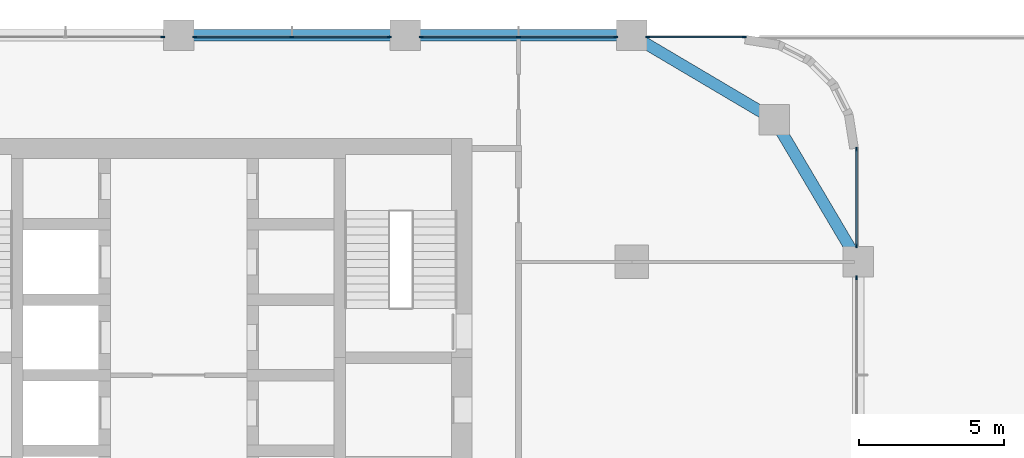
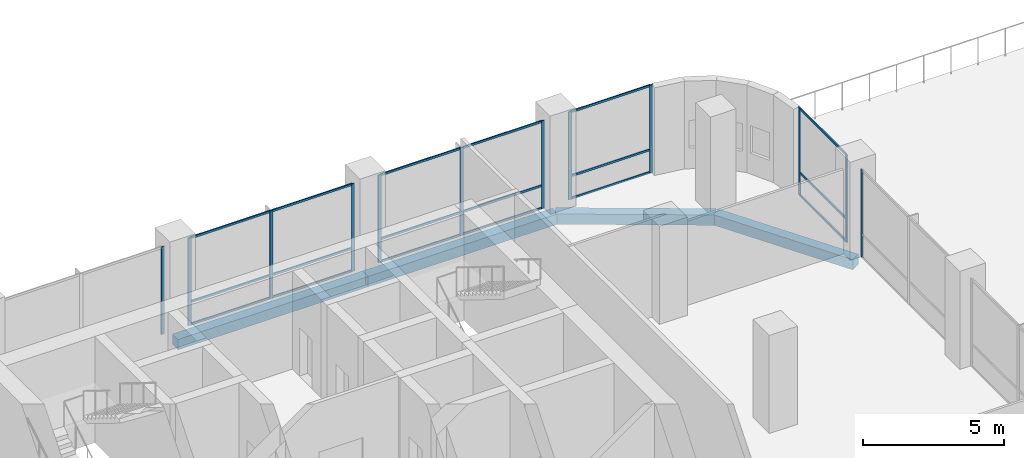
# One storey, part 9 of 31: 30 members, 4 beams, 6 elements without a shape of their own.
"""IFC4 building model written with IfcOpenShell, lengths in metres."""

from ifc_helpers import new_model, si_unit, direction, frame, origin, origin_2d, place, context, subcontext, project, spatial, rectangle, extrude, material, material_profile, profile_set, type_object, element, aggregate, save


model = new_model("IFC4")

# Units and contexts
model_context = context("Model", 3, precision=1e-05, world=origin(), true_north=direction((0.0, 1.0)))
body_context = subcontext(model_context, "Body", "Model", "MODEL_VIEW")
ifc_project = project(units=[si_unit("LENGTHUNIT", "METRE"), si_unit("AREAUNIT", "SQUARE_METRE"), si_unit("VOLUMEUNIT", "CUBIC_METRE"), si_unit("PLANEANGLEUNIT", "RADIAN"), si_unit("MASSUNIT", "GRAM", prefix="KILO")], contexts=[model_context])

# Site, building, storey
site_placement = place(None, origin())
site = spatial("IfcSite", under=ifc_project, at=site_placement, CompositionType="ELEMENT")
building_placement = place(site_placement, origin())
building = spatial("IfcBuilding", under=site, at=building_placement, Name="Ludao Terraces", CompositionType="ELEMENT")
storey_placement = place(building_placement, frame((0.0, 0.0, 15.0)))
storey = spatial("IfcBuildingStorey", under=building, at=storey_placement, Name="L03", CompositionType="ELEMENT", Elevation=15.0)

# Curtain wall, member
ifc_material_1 = material(Name="Aluminium curtain wall with fritted glass", Category="aluminium")
curtain_wall_type = type_object("IfcCurtainWallType", Name="ENV CW5 amenity glazing", PredefinedType="NOTDEFINED", material=ifc_material_1)
curtain_wall_1_placement = place(storey_placement, origin())
curtain_wall_1 = element("IfcCurtainWall", 1, at=curtain_wall_1_placement, inside=storey, type_object=curtain_wall_type, Name="Amenity glazing L03 E5", PredefinedType="NOTDEFINED")
ifc_material_2 = material(Name="Aluminium 6063-T6", Category="aluminium")
ifc_material_profile_1 = material_profile(ifc_material_2, rectangle(XDim=0.050048828125, YDim=0.139892578125, at=origin_2d()), Name="50 X 140")
ifc_profile_set_1 = profile_set([ifc_material_profile_1], Name="Aluminium 6063-T6")
member_type_1 = type_object("IfcMemberType", Name="ENV CW5 mullion 50x140", PredefinedType="MULLION", material=ifc_profile_set_1)
member_1_placement = place(storey_placement, frame((108.340087890625, 80.050048828125, 0.0), z_axis=(0.0, 0.0, 1.0), x_axis=(-1.0, 0.0, 0.0)))
member_1 = element("IfcMember", 2, at=member_1_placement, type_object=member_type_1, Name="CW5 mullion 3", PredefinedType="MULLION", context=body_context, shape_type="SweptSolid", body=[
    extrude(rectangle(XDim=0.050048828125, YDim=0.139892578125, at=origin_2d()), origin(), (0.0, 0.0, 1.0), 3.800048828125),
])
aggregate(curtain_wall_1, [member_1])

# Curtain wall, members
curtain_wall_2_placement = place(storey_placement, origin())
curtain_wall_2 = element("IfcCurtainWall", 3, at=curtain_wall_2_placement, inside=storey, type_object=curtain_wall_type, Name="Amenity glazing L03 E6", PredefinedType="NOTDEFINED")
member_2_placement = place(storey_placement, frame((108.340087890625, 81.14990234375, 0.0), z_axis=(0.0, 0.0, 1.0), x_axis=(-1.0, 0.0, 0.0)))
member_2 = element("IfcMember", 4, at=member_2_placement, type_object=member_type_1, Name="CW5 mullion 1", PredefinedType="MULLION", context=body_context, shape_type="SweptSolid", body=[
    extrude(rectangle(XDim=0.050048828125, YDim=0.139892578125, at=origin_2d()), origin(), (0.0, 0.0, 1.0), 3.800048828125),
])
member_3_placement = place(storey_placement, frame((108.340087890625, 84.47509765625, 0.0), z_axis=(0.0, 0.0, 1.0), x_axis=(-1.0, 0.0, 0.0)))
member_3 = element("IfcMember", 5, at=member_3_placement, type_object=member_type_1, Name="CW5 mullion 2", PredefinedType="MULLION", context=body_context, shape_type="SweptSolid", body=[
    extrude(rectangle(XDim=0.050048828125, YDim=0.139892578125, at=origin_2d()), origin(), (0.0, 0.0, 1.0), 3.800048828125),
])

# Curtain wall, member
curtain_wall_3_placement = place(storey_placement, origin())
curtain_wall_3 = element("IfcCurtainWall", 6, at=curtain_wall_3_placement, inside=storey, type_object=curtain_wall_type, Name="Amenity glazing L03 N3", PredefinedType="NOTDEFINED")
member_4_placement = place(storey_placement, frame((84.449951171875, 88.340087890625, 0.0), z_axis=(0.0, 0.0, 1.0), x_axis=(0.0, 1.0, 0.0)))
member_4 = element("IfcMember", 7, at=member_4_placement, type_object=member_type_1, Name="CW5 mullion 3", PredefinedType="MULLION", context=body_context, shape_type="SweptSolid", body=[
    extrude(rectangle(XDim=0.050048828125, YDim=0.139892578125, at=origin_2d()), origin(), (0.0, 0.0, 1.0), 3.800048828125),
])
aggregate(curtain_wall_3, [member_4])

# Curtain wall, members
curtain_wall_4_placement = place(storey_placement, origin())
curtain_wall_4 = element("IfcCurtainWall", 8, at=curtain_wall_4_placement, inside=storey, type_object=curtain_wall_type, Name="Amenity glazing L03 N4", PredefinedType="NOTDEFINED")
member_5_placement = place(storey_placement, frame((85.550048828125, 88.340087890625, 0.0), z_axis=(0.0, 0.0, 1.0), x_axis=(0.0, 1.0, 0.0)))
member_5 = element("IfcMember", 9, at=member_5_placement, type_object=member_type_1, Name="CW5 mullion 1", PredefinedType="MULLION", context=body_context, shape_type="SweptSolid", body=[
    extrude(rectangle(XDim=0.050048828125, YDim=0.139892578125, at=origin_2d()), origin(), (0.0, 0.0, 1.0), 3.800048828125),
])
member_6_placement = place(storey_placement, frame((88.89990234375, 88.340087890625, 0.0), z_axis=(0.0, 0.0, 1.0), x_axis=(0.0, 1.0, 0.0)))
member_6 = element("IfcMember", 10, at=member_6_placement, type_object=member_type_1, Name="CW5 mullion 2", PredefinedType="MULLION", context=body_context, shape_type="SweptSolid", body=[
    extrude(rectangle(XDim=0.050048828125, YDim=0.139892578125, at=origin_2d()), origin(), (0.0, 0.0, 1.0), 3.800048828125),
])
member_7_placement = place(storey_placement, frame((92.25, 88.340087890625, 0.0), z_axis=(0.0, 0.0, 1.0), x_axis=(0.0, 1.0, 0.0)))
member_7 = element("IfcMember", 11, at=member_7_placement, type_object=member_type_1, Name="CW5 mullion 3", PredefinedType="MULLION", context=body_context, shape_type="SweptSolid", body=[
    extrude(rectangle(XDim=0.050048828125, YDim=0.139892578125, at=origin_2d()), origin(), (0.0, 0.0, 1.0), 3.800048828125),
])

curtain_wall_5_placement = place(storey_placement, origin())
curtain_wall_5 = element("IfcCurtainWall", 12, at=curtain_wall_5_placement, inside=storey, type_object=curtain_wall_type, Name="Amenity glazing L03 N5", PredefinedType="NOTDEFINED")
member_8_placement = place(storey_placement, frame((93.35009765625, 88.340087890625, 0.0), z_axis=(0.0, 0.0, 1.0), x_axis=(0.0, 1.0, 0.0)))
member_8 = element("IfcMember", 13, at=member_8_placement, type_object=member_type_1, Name="CW5 mullion 1", PredefinedType="MULLION", context=body_context, shape_type="SweptSolid", body=[
    extrude(rectangle(XDim=0.050048828125, YDim=0.139892578125, at=origin_2d()), origin(), (0.0, 0.0, 1.0), 3.800048828125),
])
member_9_placement = place(storey_placement, frame((96.699951171875, 88.340087890625, 0.0), z_axis=(0.0, 0.0, 1.0), x_axis=(0.0, 1.0, 0.0)))
member_9 = element("IfcMember", 14, at=member_9_placement, type_object=member_type_1, Name="CW5 mullion 2", PredefinedType="MULLION", context=body_context, shape_type="SweptSolid", body=[
    extrude(rectangle(XDim=0.050048828125, YDim=0.139892578125, at=origin_2d()), origin(), (0.0, 0.0, 1.0), 3.800048828125),
])
member_10_placement = place(storey_placement, frame((100.050048828125, 88.340087890625, 0.0), z_axis=(0.0, 0.0, 1.0), x_axis=(0.0, 1.0, 0.0)))
member_10 = element("IfcMember", 15, at=member_10_placement, type_object=member_type_1, Name="CW5 mullion 3", PredefinedType="MULLION", context=body_context, shape_type="SweptSolid", body=[
    extrude(rectangle(XDim=0.050048828125, YDim=0.139892578125, at=origin_2d()), origin(), (0.0, 0.0, 1.0), 3.800048828125),
])

curtain_wall_6_placement = place(storey_placement, origin())
curtain_wall_6 = element("IfcCurtainWall", 16, at=curtain_wall_6_placement, inside=storey, type_object=curtain_wall_type, Name="Amenity glazing L03 N6", PredefinedType="NOTDEFINED")
member_11_placement = place(storey_placement, frame((101.14990234375, 88.340087890625, 0.0), z_axis=(0.0, 0.0, 1.0), x_axis=(0.0, 1.0, 0.0)))
member_11 = element("IfcMember", 17, at=member_11_placement, type_object=member_type_1, Name="CW5 mullion 1", PredefinedType="MULLION", context=body_context, shape_type="SweptSolid", body=[
    extrude(rectangle(XDim=0.050048828125, YDim=0.139892578125, at=origin_2d()), origin(), (0.0, 0.0, 1.0), 3.800048828125),
])
member_12_placement = place(storey_placement, frame((104.47509765625, 88.340087890625, 0.0), z_axis=(0.0, 0.0, 1.0), x_axis=(0.0, 1.0, 0.0)))
member_12 = element("IfcMember", 18, at=member_12_placement, type_object=member_type_1, Name="CW5 mullion 2", PredefinedType="MULLION", context=body_context, shape_type="SweptSolid", body=[
    extrude(rectangle(XDim=0.050048828125, YDim=0.139892578125, at=origin_2d()), origin(), (0.0, 0.0, 1.0), 3.800048828125),
])

# Member
ifc_material_profile_2 = material_profile(ifc_material_2, rectangle(XDim=0.050048828125, YDim=0.090087890625, at=origin_2d()), Name="50 X 90")
ifc_profile_set_2 = profile_set([ifc_material_profile_2], Name="Aluminium 6063-T6")
member_type_2 = type_object("IfcMemberType", Name="ENV CW5 transom 50x90", PredefinedType="USERDEFINED", material=ifc_profile_set_2)
member_13_placement = place(storey_placement, frame((108.340087890625, 81.175048828125, 0.02490234375), z_axis=(0.0, 1.0, 0.0), x_axis=(-1.0, 0.0, 0.0)))
member_13 = element("IfcMember", 19, at=member_13_placement, type_object=member_type_2, Name="CW5 transom 1.1", ObjectType="TRANSOM", PredefinedType="USERDEFINED", context=body_context, shape_type="SweptSolid", body=[
    extrude(rectangle(XDim=0.050048828125, YDim=0.090087890625, at=origin_2d()), origin(), (0.0, 0.0, 1.0), 3.27490234375),
])

member_14_placement = place(storey_placement, frame((108.340087890625, 81.175048828125, 1.0), z_axis=(0.0, 1.0, 0.0), x_axis=(-1.0, 0.0, 0.0)))
member_14 = element("IfcMember", 20, at=member_14_placement, type_object=member_type_2, Name="CW5 transom 1.2", ObjectType="TRANSOM", PredefinedType="USERDEFINED", context=body_context, shape_type="SweptSolid", body=[
    extrude(rectangle(XDim=0.050048828125, YDim=0.090087890625, at=origin_2d()), origin(), (0.0, 0.0, 1.0), 3.27490234375),
])

member_15_placement = place(storey_placement, frame((108.340087890625, 81.175048828125, 3.77490234375), z_axis=(0.0, 1.0, 0.0), x_axis=(-1.0, 0.0, 0.0)))
member_15 = element("IfcMember", 21, at=member_15_placement, type_object=member_type_2, Name="CW5 transom 1.3", ObjectType="TRANSOM", PredefinedType="USERDEFINED", context=body_context, shape_type="SweptSolid", body=[
    extrude(rectangle(XDim=0.050048828125, YDim=0.090087890625, at=origin_2d()), origin(), (0.0, 0.0, 1.0), 3.27490234375),
])

aggregate(curtain_wall_2, [member_2, member_3, member_13, member_14, member_15])

member_16_placement = place(storey_placement, frame((85.574951171875, 88.340087890625, 0.02490234375), z_axis=(1.0, 0.0, 0.0), x_axis=(0.0, 1.0, 0.0)))
member_16 = element("IfcMember", 22, at=member_16_placement, type_object=member_type_2, Name="CW5 transom 1.1", ObjectType="TRANSOM", PredefinedType="USERDEFINED", context=body_context, shape_type="SweptSolid", body=[
    extrude(rectangle(XDim=0.050048828125, YDim=0.090087890625, at=origin_2d()), origin(), (0.0, 0.0, 1.0), 3.300048828125),
])

member_17_placement = place(storey_placement, frame((85.574951171875, 88.340087890625, 1.0), z_axis=(1.0, 0.0, 0.0), x_axis=(0.0, 1.0, 0.0)))
member_17 = element("IfcMember", 23, at=member_17_placement, type_object=member_type_2, Name="CW5 transom 1.2", ObjectType="TRANSOM", PredefinedType="USERDEFINED", context=body_context, shape_type="SweptSolid", body=[
    extrude(rectangle(XDim=0.050048828125, YDim=0.090087890625, at=origin_2d()), origin(), (0.0, 0.0, 1.0), 3.300048828125),
])

member_18_placement = place(storey_placement, frame((85.574951171875, 88.340087890625, 3.77490234375), z_axis=(1.0, 0.0, 0.0), x_axis=(0.0, 1.0, 0.0)))
member_18 = element("IfcMember", 24, at=member_18_placement, type_object=member_type_2, Name="CW5 transom 1.3", ObjectType="TRANSOM", PredefinedType="USERDEFINED", context=body_context, shape_type="SweptSolid", body=[
    extrude(rectangle(XDim=0.050048828125, YDim=0.090087890625, at=origin_2d()), origin(), (0.0, 0.0, 1.0), 3.300048828125),
])

member_19_placement = place(storey_placement, frame((88.925048828125, 88.340087890625, 0.02490234375), z_axis=(1.0, 0.0, 0.0), x_axis=(0.0, 1.0, 0.0)))
member_19 = element("IfcMember", 25, at=member_19_placement, type_object=member_type_2, Name="CW5 transom 2.1", ObjectType="TRANSOM", PredefinedType="USERDEFINED", context=body_context, shape_type="SweptSolid", body=[
    extrude(rectangle(XDim=0.050048828125, YDim=0.090087890625, at=origin_2d()), origin(), (0.0, 0.0, 1.0), 3.300048828125),
])

member_20_placement = place(storey_placement, frame((88.925048828125, 88.340087890625, 1.0), z_axis=(1.0, 0.0, 0.0), x_axis=(0.0, 1.0, 0.0)))
member_20 = element("IfcMember", 26, at=member_20_placement, type_object=member_type_2, Name="CW5 transom 2.2", ObjectType="TRANSOM", PredefinedType="USERDEFINED", context=body_context, shape_type="SweptSolid", body=[
    extrude(rectangle(XDim=0.050048828125, YDim=0.090087890625, at=origin_2d()), origin(), (0.0, 0.0, 1.0), 3.300048828125),
])

member_21_placement = place(storey_placement, frame((88.925048828125, 88.340087890625, 3.77490234375), z_axis=(1.0, 0.0, 0.0), x_axis=(0.0, 1.0, 0.0)))
member_21 = element("IfcMember", 27, at=member_21_placement, type_object=member_type_2, Name="CW5 transom 2.3", ObjectType="TRANSOM", PredefinedType="USERDEFINED", context=body_context, shape_type="SweptSolid", body=[
    extrude(rectangle(XDim=0.050048828125, YDim=0.090087890625, at=origin_2d()), origin(), (0.0, 0.0, 1.0), 3.300048828125),
])

aggregate(curtain_wall_4, [member_5, member_6, member_7, member_16, member_17, member_18, member_19, member_20, member_21])

member_22_placement = place(storey_placement, frame((93.375, 88.340087890625, 0.02490234375), z_axis=(1.0, 0.0, 0.0), x_axis=(0.0, 1.0, 0.0)))
member_22 = element("IfcMember", 28, at=member_22_placement, type_object=member_type_2, Name="CW5 transom 1.1", ObjectType="TRANSOM", PredefinedType="USERDEFINED", context=body_context, shape_type="SweptSolid", body=[
    extrude(rectangle(XDim=0.050048828125, YDim=0.090087890625, at=origin_2d()), origin(), (0.0, 0.0, 1.0), 3.300048828125),
])

member_23_placement = place(storey_placement, frame((93.375, 88.340087890625, 1.0), z_axis=(1.0, 0.0, 0.0), x_axis=(0.0, 1.0, 0.0)))
member_23 = element("IfcMember", 29, at=member_23_placement, type_object=member_type_2, Name="CW5 transom 1.2", ObjectType="TRANSOM", PredefinedType="USERDEFINED", context=body_context, shape_type="SweptSolid", body=[
    extrude(rectangle(XDim=0.050048828125, YDim=0.090087890625, at=origin_2d()), origin(), (0.0, 0.0, 1.0), 3.300048828125),
])

member_24_placement = place(storey_placement, frame((93.375, 88.340087890625, 3.77490234375), z_axis=(1.0, 0.0, 0.0), x_axis=(0.0, 1.0, 0.0)))
member_24 = element("IfcMember", 30, at=member_24_placement, type_object=member_type_2, Name="CW5 transom 1.3", ObjectType="TRANSOM", PredefinedType="USERDEFINED", context=body_context, shape_type="SweptSolid", body=[
    extrude(rectangle(XDim=0.050048828125, YDim=0.090087890625, at=origin_2d()), origin(), (0.0, 0.0, 1.0), 3.300048828125),
])

member_25_placement = place(storey_placement, frame((96.72509765625, 88.340087890625, 0.02490234375), z_axis=(1.0, 0.0, 0.0), x_axis=(0.0, 1.0, 0.0)))
member_25 = element("IfcMember", 31, at=member_25_placement, type_object=member_type_2, Name="CW5 transom 2.1", ObjectType="TRANSOM", PredefinedType="USERDEFINED", context=body_context, shape_type="SweptSolid", body=[
    extrude(rectangle(XDim=0.050048828125, YDim=0.090087890625, at=origin_2d()), origin(), (0.0, 0.0, 1.0), 3.2998046875),
])

member_26_placement = place(storey_placement, frame((96.72509765625, 88.340087890625, 1.0), z_axis=(1.0, 0.0, 0.0), x_axis=(0.0, 1.0, 0.0)))
member_26 = element("IfcMember", 32, at=member_26_placement, type_object=member_type_2, Name="CW5 transom 2.2", ObjectType="TRANSOM", PredefinedType="USERDEFINED", context=body_context, shape_type="SweptSolid", body=[
    extrude(rectangle(XDim=0.050048828125, YDim=0.090087890625, at=origin_2d()), origin(), (0.0, 0.0, 1.0), 3.2998046875),
])

member_27_placement = place(storey_placement, frame((96.72509765625, 88.340087890625, 3.77490234375), z_axis=(1.0, 0.0, 0.0), x_axis=(0.0, 1.0, 0.0)))
member_27 = element("IfcMember", 33, at=member_27_placement, type_object=member_type_2, Name="CW5 transom 2.3", ObjectType="TRANSOM", PredefinedType="USERDEFINED", context=body_context, shape_type="SweptSolid", body=[
    extrude(rectangle(XDim=0.050048828125, YDim=0.090087890625, at=origin_2d()), origin(), (0.0, 0.0, 1.0), 3.2998046875),
])

aggregate(curtain_wall_5, [member_8, member_9, member_10, member_22, member_23, member_24, member_25, member_26, member_27])

member_28_placement = place(storey_placement, frame((101.175048828125, 88.340087890625, 0.02490234375), z_axis=(1.0, 0.0, 0.0), x_axis=(0.0, 1.0, 0.0)))
member_28 = element("IfcMember", 34, at=member_28_placement, type_object=member_type_2, Name="CW5 transom 1.1", ObjectType="TRANSOM", PredefinedType="USERDEFINED", context=body_context, shape_type="SweptSolid", body=[
    extrude(rectangle(XDim=0.050048828125, YDim=0.090087890625, at=origin_2d()), origin(), (0.0, 0.0, 1.0), 3.27490234375),
])

member_29_placement = place(storey_placement, frame((101.175048828125, 88.340087890625, 1.0), z_axis=(1.0, 0.0, 0.0), x_axis=(0.0, 1.0, 0.0)))
member_29 = element("IfcMember", 35, at=member_29_placement, type_object=member_type_2, Name="CW5 transom 1.2", ObjectType="TRANSOM", PredefinedType="USERDEFINED", context=body_context, shape_type="SweptSolid", body=[
    extrude(rectangle(XDim=0.050048828125, YDim=0.090087890625, at=origin_2d()), origin(), (0.0, 0.0, 1.0), 3.27490234375),
])

member_30_placement = place(storey_placement, frame((101.175048828125, 88.340087890625, 3.77490234375), z_axis=(1.0, 0.0, 0.0), x_axis=(0.0, 1.0, 0.0)))
member_30 = element("IfcMember", 36, at=member_30_placement, type_object=member_type_2, Name="CW5 transom 1.3", ObjectType="TRANSOM", PredefinedType="USERDEFINED", context=body_context, shape_type="SweptSolid", body=[
    extrude(rectangle(XDim=0.050048828125, YDim=0.090087890625, at=origin_2d()), origin(), (0.0, 0.0, 1.0), 3.27490234375),
])

aggregate(curtain_wall_6, [member_11, member_12, member_28, member_29, member_30])

# Beams
ifc_material_3 = material(Name="Concrete C40", Category="concrete")
ifc_material_profile_3 = material_profile(ifc_material_3, rectangle(XDim=0.39990234375, YDim=0.449951171875, at=origin_2d()), Name="400 X 450")
ifc_profile_set_3 = profile_set([ifc_material_profile_3], Name="Concrete C40")
beam_type = type_object("IfcBeamType", Name="RC beam 400x450 C40", PredefinedType="BEAM", material=ifc_profile_set_3)
for number, where, z_axis, x_axis, name in (
    (37, (85.0, 88.39990234375, -0.574951171875), (1.0, 0.0, 0.0), (0.0, 1.0, 0.0), "Spandrel beam L03 N10"),
    (38, (92.800048828125, 88.39990234375, -0.574951171875), (1.0, 0.0, 0.0), (0.0, 1.0, 0.0), "Spandrel beam L03 N11"),
):
    element("IfcBeam", number, at=place(storey_placement, frame(where, z_axis=z_axis, x_axis=x_axis)), inside=storey, type_object=beam_type, Name=name, PredefinedType="BEAM", context=body_context, shape_type="SweptSolid", body=[
        extrude(rectangle(XDim=0.39990234375, YDim=0.449951171875, at=origin_2d()), origin(), (0.0, 0.0, 1.0), 7.800048828125),
    ])
for number, where, z_axis, x_axis, name in (
    (39, (100.60009765625, 88.39990234375, -0.574951171875), (0.860579751256, -0.509315709288, 0.0), (0.509315709288, 0.860579751256, 0.0), "Spandrel beam L03 N12"),
    (40, (108.39990234375, 80.60009765625, -0.574951171875), (-0.509315709288, 0.860579751256, 0.0), (-0.860579751256, -0.509315709288, 0.0), "Spandrel beam L03 E24"),
):
    element("IfcBeam", number, at=place(storey_placement, frame(where, z_axis=z_axis, x_axis=x_axis)), inside=storey, type_object=beam_type, Name=name, PredefinedType="BEAM", context=body_context, shape_type="SweptSolid", body=[
        extrude(rectangle(XDim=0.39990234375, YDim=0.449951171875, at=origin_2d()), origin(), (0.0, 0.0, 1.0), 5.693603515625),
    ])

save(model, "model.ifc")
